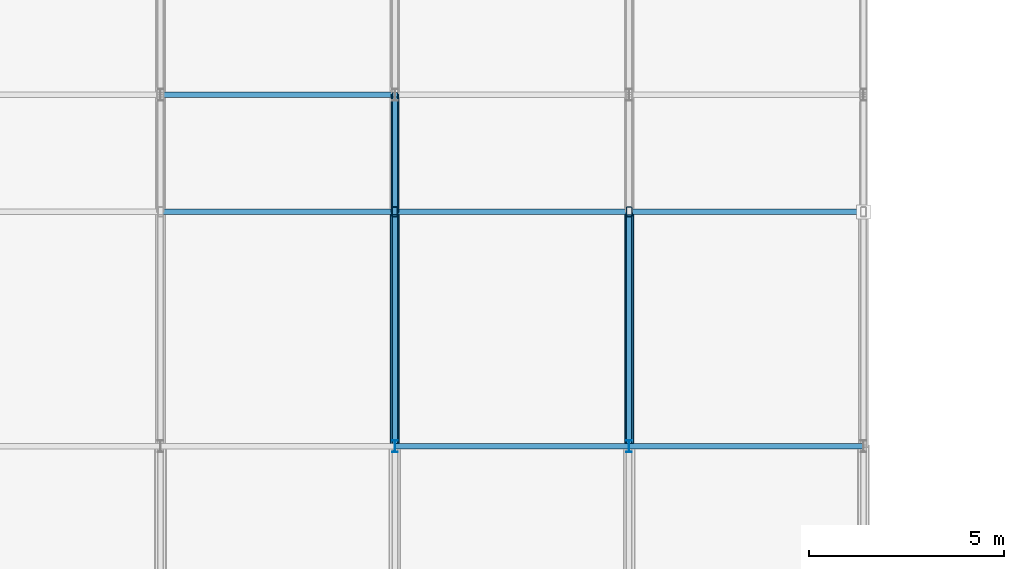
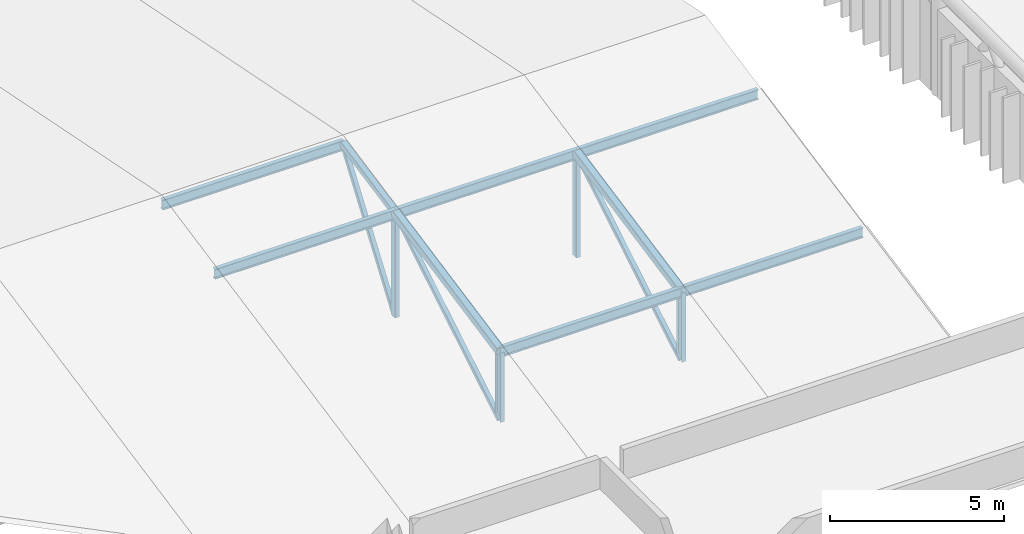
# One storey, part 34 of 83: 13 members, 3 beams.
"""IFC4 building model written with IfcOpenShell, lengths in metres."""

from ifc_helpers import new_model, si_unit, direction, frame, origin, origin_2d, place, context, subcontext, project, spatial, hollow_rectangle, i_section, extrude, material, material_profile, profile_set, type_object, element, save


model = new_model("IFC4")

# Units and contexts
model_context = context("Model", 3, precision=1e-05, world=origin(), true_north=direction((0.0, 1.0)))
body_context = subcontext(model_context, "Body", "Model", "MODEL_VIEW")
ifc_project = project(units=[si_unit("LENGTHUNIT", "METRE"), si_unit("AREAUNIT", "SQUARE_METRE"), si_unit("VOLUMEUNIT", "CUBIC_METRE"), si_unit("PLANEANGLEUNIT", "RADIAN"), si_unit("MASSUNIT", "GRAM", prefix="KILO")], contexts=[model_context])

# Site, building, storey
site_placement = place(None, origin())
site = spatial("IfcSite", under=ifc_project, at=site_placement, CompositionType="ELEMENT")
building_placement = place(site_placement, origin())
building = spatial("IfcBuilding", under=site, at=building_placement, Name="Varnakota Square Police Headquarters", CompositionType="ELEMENT")
storey_placement = place(building_placement, frame((0.0, 0.0, 18.0)))
storey = spatial("IfcBuildingStorey", under=building, at=storey_placement, Name="L04", CompositionType="ELEMENT", Elevation=18.0)

# Beams
ifc_material = material(Name="Steel IS 2062 Grade 350", Category="steel")
ifc_material_profile_1 = material_profile(ifc_material, hollow_rectangle(XDim=0.199951171875, YDim=0.199951171875, WallThickness=0.010009765625, InnerFilletRadius=0.010009765625, OuterFilletRadius=0.02001953125, at=origin_2d()), Name="SHS 200x200x10")
ifc_profile_set_1 = profile_set([ifc_material_profile_1], Name="Steel IS 2062 Grade 350")
beam_type_1 = type_object("IfcBeamType", Name="BM-TR-SHS200", PredefinedType="BEAM", material=ifc_profile_set_1)
beam_placement = place(storey_placement, frame((42.0, 87.0, 2.1201171875), z_axis=(0.0, 0.980589882373, 0.196070096109), x_axis=(-1.0, 0.0, 0.0)))
element("IfcBeam", 1, at=beam_placement, inside=storey, type_object=beam_type_1, Name="ROOF TRUSS top chord T6-P3", PredefinedType="BEAM", context=body_context, shape_type="SweptSolid", body=[
    extrude(hollow_rectangle(XDim=0.199951171875, YDim=0.199951171875, WallThickness=0.010009765625, InnerFilletRadius=0.010009765625, OuterFilletRadius=0.02001953125, at=origin_2d()), origin(), (0.0, 0.0, 1.0), 3.059326171875),
])
ifc_material_profile_2 = material_profile(ifc_material, hollow_rectangle(XDim=0.25, YDim=0.25, WallThickness=0.011962890625, InnerFilletRadius=0.011962890625, OuterFilletRadius=0.02392578125, at=origin_2d()), Name="SHS 250x250x12")
ifc_profile_set_2 = profile_set([ifc_material_profile_2], Name="Steel IS 2062 Grade 350")
beam_type_2 = type_object("IfcBeamType", Name="BM-TR-SHS250", PredefinedType="BEAM", material=ifc_profile_set_2)
for number, where, z_axis, x_axis, name in (
    (2, (42.0, 81.0, 0.919921875), (0.0, 0.980574536798, 0.196146827104), (-1.0, 0.0, 0.0), "ROOF TRUSS top chord T6-P2"),
    (3, (48.0, 81.0, 0.919921875), (0.0, 0.980574536798, 0.196146827104), (-1.0, 0.0, 0.0), "ROOF TRUSS top chord T7-P2"),
):
    element("IfcBeam", number, at=place(storey_placement, frame(where, z_axis=z_axis, x_axis=x_axis)), inside=storey, type_object=beam_type_2, Name=name, PredefinedType="BEAM", context=body_context, shape_type="SweptSolid", body=[
        extrude(hollow_rectangle(XDim=0.25, YDim=0.25, WallThickness=0.011962890625, InnerFilletRadius=0.011962890625, OuterFilletRadius=0.02392578125, at=origin_2d()), origin(), (0.0, 0.0, 1.0), 6.118896484375),
    ])

# Members
ifc_material_profile_3 = material_profile(ifc_material, hollow_rectangle(XDim=0.14990234375, YDim=0.14990234375, WallThickness=0.008056640625, InnerFilletRadius=0.008056640625, OuterFilletRadius=0.01611328125, at=origin_2d()), Name="SHS 150x150x8")
ifc_profile_set_3 = profile_set([ifc_material_profile_3], Name="Steel IS 2062 Grade 350")
member_type_1 = type_object("IfcMemberType", Name="MEM-BR-SHS150", PredefinedType="BRACE", material=ifc_profile_set_3)
member_1_placement = place(storey_placement, frame((42.0, 81.0, -1.5), z_axis=(0.0, 0.856223797044, 0.516605080671), x_axis=(-1.0, 0.0, 0.0)))
element("IfcMember", 4, at=member_1_placement, inside=storey, type_object=member_type_1, Name="ROOF TRUSS diagonal web T6-P2", PredefinedType="BRACE", context=body_context, shape_type="SweptSolid", body=[
    extrude(hollow_rectangle(XDim=0.14990234375, YDim=0.14990234375, WallThickness=0.008056640625, InnerFilletRadius=0.008056640625, OuterFilletRadius=0.01611328125, at=origin_2d()), origin(), (0.0, 0.0, 1.0), 7.007568359375),
])
member_2_placement = place(storey_placement, frame((42.0, 87.0, -1.5), z_axis=(0.0, 0.579412433141, 0.815034497627), x_axis=(-1.0, 0.0, 0.0)))
element("IfcMember", 5, at=member_2_placement, inside=storey, type_object=member_type_1, Name="ROOF TRUSS diagonal web T6-P3", PredefinedType="BRACE", context=body_context, shape_type="SweptSolid", body=[
    extrude(hollow_rectangle(XDim=0.14990234375, YDim=0.14990234375, WallThickness=0.008056640625, InnerFilletRadius=0.008056640625, OuterFilletRadius=0.01611328125, at=origin_2d()), origin(), (0.0, 0.0, 1.0), 5.177734375),
])
member_3_placement = place(storey_placement, frame((48.0, 81.0, -1.5), z_axis=(0.0, 0.856223797044, 0.516605080671), x_axis=(-1.0, 0.0, 0.0)))
element("IfcMember", 6, at=member_3_placement, inside=storey, type_object=member_type_1, Name="ROOF TRUSS diagonal web T7-P2", PredefinedType="BRACE", context=body_context, shape_type="SweptSolid", body=[
    extrude(hollow_rectangle(XDim=0.14990234375, YDim=0.14990234375, WallThickness=0.008056640625, InnerFilletRadius=0.008056640625, OuterFilletRadius=0.01611328125, at=origin_2d()), origin(), (0.0, 0.0, 1.0), 7.007568359375),
])
ifc_material_profile_4 = material_profile(ifc_material, i_section(OverallWidth=0.139892578125, OverallDepth=0.35009765625, WebThickness=0.008056640625, FlangeThickness=0.01416015625, FilletRadius=0.013916015625, at=origin_2d()), Name="ISMB 350")
ifc_profile_set_4 = profile_set([ifc_material_profile_4], Name="Steel IS 2062 Grade 350")
member_type_2 = type_object("IfcMemberType", Name="MEM-PUR-ISMB350", PredefinedType="PURLIN", material=ifc_profile_set_4)
for number, where, z_axis, x_axis, name in (
    (7, (36.0, 87.0, 2.074951171875), (1.0, 0.0, 0.0), (0.0, 1.0, 0.0), "Tactical hall purlin B5-Y87"),
    (8, (36.0, 90.0, 2.675048828125), (1.0, 0.0, 0.0), (0.0, 1.0, 0.0), "Tactical hall purlin B5-Y90"),
    (9, (42.0, 81.0, 0.875), (1.0, 0.0, 0.0), (0.0, 1.0, 0.0), "Tactical hall purlin B6-Y81"),
    (10, (42.0, 87.0, 2.074951171875), (1.0, 0.0, 0.0), (0.0, 1.0, 0.0), "Tactical hall purlin B6-Y87"),
    (11, (48.0, 81.0, 0.875), (1.0, 0.0, 0.0), (0.0, 1.0, 0.0), "Tactical hall purlin B7-Y81"),
    (12, (48.0, 87.0, 2.074951171875), (1.0, 0.0, 0.0), (0.0, 1.0, 0.0), "Tactical hall purlin B7-Y87"),
):
    element("IfcMember", number, at=place(storey_placement, frame(where, z_axis=z_axis, x_axis=x_axis)), inside=storey, type_object=member_type_2, Name=name, PredefinedType="PURLIN", context=body_context, shape_type="SweptSolid", body=[
        extrude(i_section(OverallWidth=0.139892578125, OverallDepth=0.35009765625, WebThickness=0.008056640625, FlangeThickness=0.01416015625, FilletRadius=0.013916015625, at=origin_2d()), origin(), (0.0, 0.0, 1.0), 6.0),
    ])
ifc_material_profile_5 = material_profile(ifc_material, i_section(OverallWidth=0.139892578125, OverallDepth=0.300048828125, WebThickness=0.0078125, FlangeThickness=0.01318359375, FilletRadius=0.013916015625, at=origin_2d()), Name="ISMB 300")
ifc_profile_set_5 = profile_set([ifc_material_profile_5], Name="Steel IS 2062 Grade 350")
member_type_3 = type_object("IfcMemberType", Name="MEM-STR-ISMB300", PredefinedType="STRUT", material=ifc_profile_set_5)
for number, where, z_axis, x_axis, name in (
    (13, (42.0, 81.0, -1.5), (0.0, 0.0, 1.0), (1.0, 0.0, 0.0), "ROOF TRUSS vertical strut T6-V1"),
    (14, (48.0, 81.0, -1.5), (0.0, 0.0, 1.0), (1.0, 0.0, 0.0), "ROOF TRUSS vertical strut T7-V1"),
):
    element("IfcMember", number, at=place(storey_placement, frame(where, z_axis=z_axis, x_axis=x_axis)), inside=storey, type_object=member_type_3, Name=name, PredefinedType="STRUT", context=body_context, shape_type="SweptSolid", body=[
        extrude(i_section(OverallWidth=0.139892578125, OverallDepth=0.300048828125, WebThickness=0.0078125, FlangeThickness=0.01318359375, FilletRadius=0.013916015625, at=origin_2d()), origin(), (0.0, 0.0, 1.0), 2.419921875),
    ])
ifc_material_profile_6 = material_profile(ifc_material, hollow_rectangle(XDim=0.14990234375, YDim=0.25, WallThickness=0.010009765625, InnerFilletRadius=0.010009765625, OuterFilletRadius=0.02001953125, at=origin_2d()), Name="RHS 250x150x10")
ifc_profile_set_6 = profile_set([ifc_material_profile_6], Name="Steel IS 2062 Grade 350")
member_type_4 = type_object("IfcMemberType", Name="MEM-STR-RHS250", PredefinedType="STRUT", material=ifc_profile_set_6)
for number, where, z_axis, x_axis, name in (
    (15, (42.0, 87.0, -1.5), (0.0, 0.0, 1.0), (1.0, 0.0, 0.0), "ROOF TRUSS vertical strut T6-V2"),
    (16, (48.0, 87.0, -1.5), (0.0, 0.0, 1.0), (1.0, 0.0, 0.0), "ROOF TRUSS vertical strut T7-V2"),
):
    element("IfcMember", number, at=place(storey_placement, frame(where, z_axis=z_axis, x_axis=x_axis)), inside=storey, type_object=member_type_4, Name=name, PredefinedType="STRUT", context=body_context, shape_type="SweptSolid", body=[
        extrude(hollow_rectangle(XDim=0.14990234375, YDim=0.25, WallThickness=0.010009765625, InnerFilletRadius=0.010009765625, OuterFilletRadius=0.02001953125, at=origin_2d()), origin(), (0.0, 0.0, 1.0), 3.6201171875),
    ])

save(model, "model.ifc")
